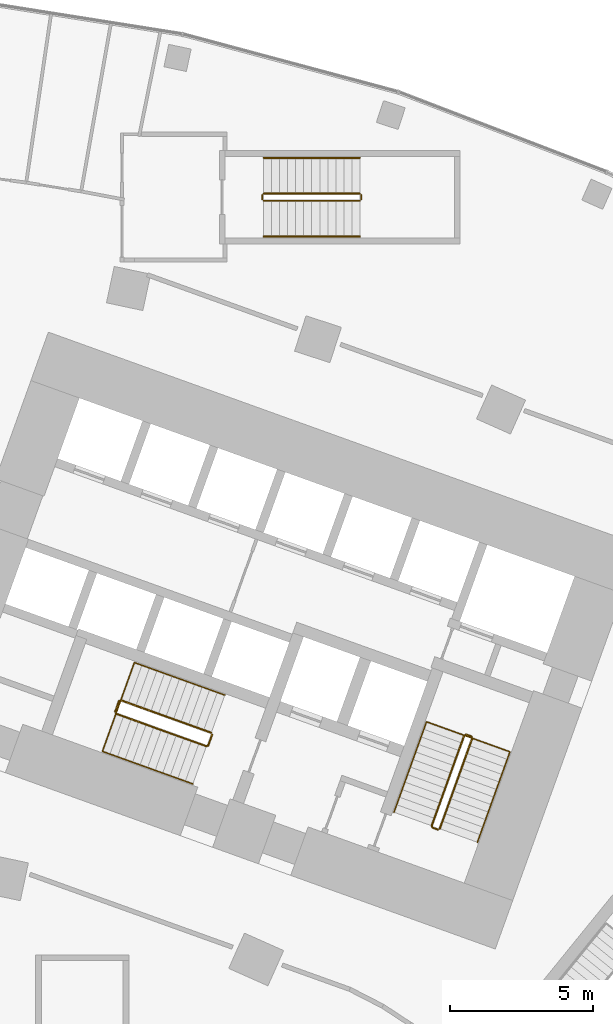
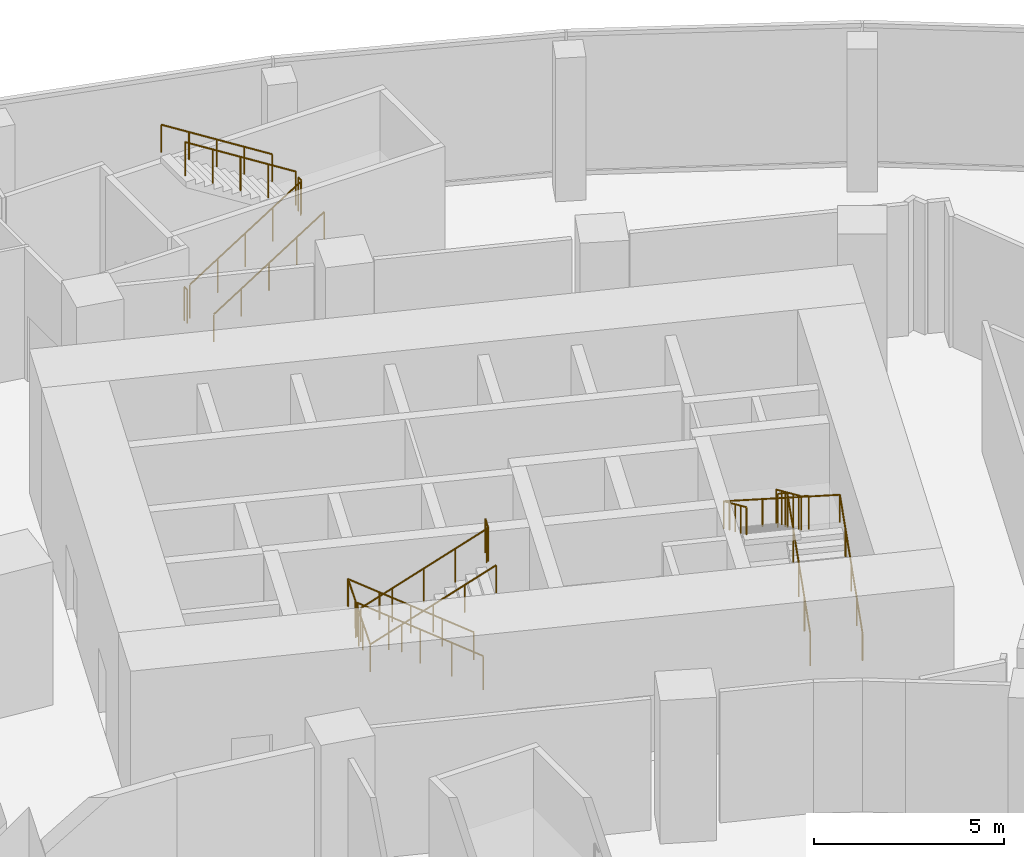
# One storey, part 38 of 39: 12 railings.
"""IFC4 building model written with IfcOpenShell, lengths in metres."""

from ifc_helpers import new_model, si_unit, direction, frame, origin, origin_2d, place, context, subcontext, project, spatial, circle, extrude, material, type_object, element, save


model = new_model("IFC4")

# Units and contexts
model_context = context("Model", 3, precision=1e-05, world=origin(), true_north=direction((0.0, 1.0)))
body_context = subcontext(model_context, "Body", "Model", "MODEL_VIEW")
ifc_project = project(units=[si_unit("LENGTHUNIT", "METRE"), si_unit("AREAUNIT", "SQUARE_METRE"), si_unit("VOLUMEUNIT", "CUBIC_METRE"), si_unit("PLANEANGLEUNIT", "RADIAN"), si_unit("MASSUNIT", "GRAM", prefix="KILO")], contexts=[model_context])

# Site, building, storey
site_placement = place(None, origin())
site = spatial("IfcSite", under=ifc_project, at=site_placement, CompositionType="ELEMENT")
building_placement = place(site_placement, origin())
building = spatial("IfcBuilding", under=site, at=building_placement, Name="Stone Belt Terrace Tower", CompositionType="ELEMENT")
storey_placement = place(building_placement, frame((0.0, 0.0, 20.800048828125)))
storey = spatial("IfcBuildingStorey", under=building, at=storey_placement, Name="L04", CompositionType="ELEMENT", Elevation=20.800048828125)

# Railings
ifc_material_1 = material(Name="Steel balustrade", Category="steel")
railing_type_1 = type_object("IfcRailingType", Name="Podium stair guard", PredefinedType="GUARDRAIL", material=ifc_material_1)
railing_1_placement = place(storey_placement, frame((18.340087890625, 67.125, 0.1767578125)))
element("IfcRailing", 1, at=railing_1_placement, inside=storey, type_object=railing_type_1, Name="L04 PS8 stair guard 1", PredefinedType="GUARDRAIL", context=body_context, shape_type="SweptSolid", body=[
    extrude(circle(Radius=0.02392578125, at=origin_2d()), frame((0.0, 0.0, 1.076171875), z_axis=(0.845344368971, 0.0, 0.534221768416), x_axis=(0.0, 1.0, 0.0)), (0.0, 0.0, 1.0), 3.974609375),
    extrude(circle(Radius=0.02099609375, at=origin_2d()), origin(), (0.0, 0.0, 1.0), 1.052001953125),
    extrude(circle(Radius=0.02099609375, at=origin_2d()), frame((0.83984375, 0.0, 0.53076171875)), (0.0, 0.0, 1.0), 1.052001953125),
    extrude(circle(Radius=0.02099609375, at=origin_2d()), frame((1.679931640625, 0.0, 1.0615234375)), (0.0, 0.0, 1.0), 1.052001953125),
    extrude(circle(Radius=0.02099609375, at=origin_2d()), frame((2.52001953125, 0.0, 1.592529296875)), (0.0, 0.0, 1.0), 1.052001953125),
    extrude(circle(Radius=0.02099609375, at=origin_2d()), frame((3.35986328125, 0.0, 2.123291015625)), (0.0, 0.0, 1.0), 1.052001953125),
])
railing_2_placement = place(storey_placement, frame((21.75, 67.175048828125, 2.300048828125)))
element("IfcRailing", 2, at=railing_2_placement, inside=storey, type_object=railing_type_1, Name="L04 PS8 stair guard 2", PredefinedType="GUARDRAIL", context=body_context, shape_type="SweptSolid", body=[
    extrude(circle(Radius=0.02392578125, at=origin_2d()), frame((0.0, 0.0, 1.076171875), z_axis=(0.0, 1.0, 0.0), x_axis=(-1.0, 0.0, 0.0)), (0.0, 0.0, 1.0), 0.14990234375),
    extrude(circle(Radius=0.02099609375, at=origin_2d()), origin(), (0.0, 0.0, 1.0), 1.052001953125),
    extrude(circle(Radius=0.02099609375, at=origin_2d()), frame((0.0, 0.14990234375, 0.0)), (0.0, 0.0, 1.0), 1.052001953125),
])
railing_3_placement = place(storey_placement, frame((21.699951171875, 67.375, 2.476806640625)))
element("IfcRailing", 3, at=railing_3_placement, inside=storey, type_object=railing_type_1, Name="L04 PS8 stair guard 3", PredefinedType="GUARDRAIL", context=body_context, shape_type="SweptSolid", body=[
    extrude(circle(Radius=0.02392578125, at=origin_2d()), frame((0.0, 0.0, 1.076171875), z_axis=(-0.845372108799, 0.0, 0.534177870812), x_axis=(0.0, -1.0, 0.0)), (0.0, 0.0, 1.0), 3.974365234375),
    extrude(circle(Radius=0.02099609375, at=origin_2d()), origin(), (0.0, 0.0, 1.0), 1.052001953125),
    extrude(circle(Radius=0.02099609375, at=origin_2d()), frame((-0.83984375, 0.0, 0.53076171875)), (0.0, 0.0, 1.0), 1.052001953125),
    extrude(circle(Radius=0.02099609375, at=origin_2d()), frame((-1.679931640625, 0.0, 1.0615234375)), (0.0, 0.0, 1.0), 1.052001953125),
    extrude(circle(Radius=0.02099609375, at=origin_2d()), frame((-2.52001953125, 0.0, 1.59228515625)), (0.0, 0.0, 1.0), 1.052001953125),
    extrude(circle(Radius=0.02099609375, at=origin_2d()), frame((-3.35986328125, 0.0, 2.123046875)), (0.0, 0.0, 1.0), 1.052001953125),
])
railing_4_placement = place(storey_placement, frame((18.2900390625, 67.175048828125, 0.0)))
element("IfcRailing", 4, at=railing_4_placement, inside=storey, type_object=railing_type_1, Name="L04 PS8 stair guard 4", PredefinedType="GUARDRAIL", context=body_context, shape_type="SweptSolid", body=[
    extrude(circle(Radius=0.02392578125, at=origin_2d()), frame((0.0, 0.0, 1.076171875), z_axis=(0.0, 1.0, 0.0), x_axis=(-1.0, 0.0, 0.0)), (0.0, 0.0, 1.0), 0.14990234375),
    extrude(circle(Radius=0.02099609375, at=origin_2d()), origin(), (0.0, 0.0, 1.0), 1.052001953125),
    extrude(circle(Radius=0.02099609375, at=origin_2d()), frame((0.0, 0.14990234375, 0.0)), (0.0, 0.0, 1.0), 1.052001953125),
])
ifc_material_2 = material(Name="Stainless steel handrail", Category="steel")
railing_type_2 = type_object("IfcRailingType", Name="Podium stair handrail", PredefinedType="HANDRAIL", material=ifc_material_2)
railing_5_placement = place(storey_placement, frame((18.340087890625, 65.875, 0.1767578125)))
element("IfcRailing", 5, at=railing_5_placement, inside=storey, type_object=railing_type_2, Name="L04 PS8 stair handrail 1", PredefinedType="HANDRAIL", context=body_context, shape_type="SweptSolid", body=[
    extrude(circle(Radius=0.02392578125, at=origin_2d()), frame((0.0, 0.0, 0.8759765625), z_axis=(0.845344368971, 0.0, 0.534221768416), x_axis=(0.0, 1.0, 0.0)), (0.0, 0.0, 1.0), 3.974609375),
    extrude(circle(Radius=0.02099609375, at=origin_2d()), origin(), (0.0, 0.0, 1.0), 0.851806640625),
    extrude(circle(Radius=0.02099609375, at=origin_2d()), frame((0.83984375, 0.0, 0.53076171875)), (0.0, 0.0, 1.0), 0.851806640625),
    extrude(circle(Radius=0.02099609375, at=origin_2d()), frame((1.679931640625, 0.0, 1.0615234375)), (0.0, 0.0, 1.0), 0.851806640625),
    extrude(circle(Radius=0.02099609375, at=origin_2d()), frame((2.52001953125, 0.0, 1.592529296875)), (0.0, 0.0, 1.0), 0.851806640625),
    extrude(circle(Radius=0.02099609375, at=origin_2d()), frame((3.35986328125, 0.0, 2.123291015625)), (0.0, 0.0, 1.0), 0.851806640625),
])
railing_6_placement = place(storey_placement, frame((21.699951171875, 68.625, 2.476806640625)))
element("IfcRailing", 6, at=railing_6_placement, inside=storey, type_object=railing_type_2, Name="L04 PS8 stair handrail 2", PredefinedType="HANDRAIL", context=body_context, shape_type="SweptSolid", body=[
    extrude(circle(Radius=0.02392578125, at=origin_2d()), frame((0.0, 0.0, 0.8759765625), z_axis=(-0.845372108799, 0.0, 0.534177870812), x_axis=(0.0, -1.0, 0.0)), (0.0, 0.0, 1.0), 3.974365234375),
    extrude(circle(Radius=0.02099609375, at=origin_2d()), origin(), (0.0, 0.0, 1.0), 0.851806640625),
    extrude(circle(Radius=0.02099609375, at=origin_2d()), frame((-0.83984375, 0.0, 0.53076171875)), (0.0, 0.0, 1.0), 0.851806640625),
    extrude(circle(Radius=0.02099609375, at=origin_2d()), frame((-1.679931640625, 0.0, 1.0615234375)), (0.0, 0.0, 1.0), 0.851806640625),
    extrude(circle(Radius=0.02099609375, at=origin_2d()), frame((-2.52001953125, 0.0, 1.59228515625)), (0.0, 0.0, 1.0), 0.851806640625),
    extrude(circle(Radius=0.02099609375, at=origin_2d()), frame((-3.35986328125, 0.0, 2.123046875)), (0.0, 0.0, 1.0), 0.851806640625),
])
ifc_material_3 = material(Name="Structural steel C345", Category="steel")
railing_type_3 = type_object("IfcRailingType", Name="Stair guard 1100", PredefinedType="GUARDRAIL", material=ifc_material_3)
railing_7_placement = place(storey_placement, frame((24.494140625, 45.174560546875, 0.1767578125)))
element("IfcRailing", 7, at=railing_7_placement, inside=storey, type_object=railing_type_3, Name="L04 ST1B stair guard 1", PredefinedType="GUARDRAIL", context=body_context, shape_type="SweptSolid", body=[
    extrude(circle(Radius=0.02392578125, at=origin_2d()), frame((0.0, 0.0, 1.076171875), z_axis=(0.286301708457, 0.795391723409, 0.53421282095), x_axis=(-0.940902231577, 0.338678299589, 0.0)), (0.0, 0.0, 1.0), 3.974609375),
    extrude(circle(Radius=0.02392578125, at=origin_2d()), frame((1.137939453125, 3.161376953125, 3.19921875), z_axis=(-0.427789722475, 0.903878284585, 0.0), x_axis=(-0.903878284585, -0.427789722475, 0.0)), (0.0, 0.0, 1.0), 0.07080078125),
    extrude(circle(Radius=0.02392578125, at=origin_2d()), frame((1.107666015625, 3.225341796875, 3.19921875), z_axis=(-0.940575576748, 0.339584429008, 0.0), x_axis=(-0.339584429008, -0.940575576748, 0.0)), (0.0, 0.0, 1.0), 0.199951171875),
    extrude(circle(Radius=0.02099609375, at=origin_2d()), origin(), (0.0, 0.0, 1.0), 1.052001953125),
    extrude(circle(Radius=0.02099609375, at=origin_2d()), frame((0.284423828125, 0.790283203125, 0.53076171875)), (0.0, 0.0, 1.0), 1.052001953125),
    extrude(circle(Radius=0.02099609375, at=origin_2d()), frame((0.56884765625, 1.58056640625, 1.0615234375)), (0.0, 0.0, 1.0), 1.052001953125),
    extrude(circle(Radius=0.02099609375, at=origin_2d()), frame((0.853515625, 2.37109375, 1.592529296875)), (0.0, 0.0, 1.0), 1.052001953125),
    extrude(circle(Radius=0.02099609375, at=origin_2d()), frame((1.137939453125, 3.161376953125, 2.123291015625)), (0.0, 0.0, 1.0), 1.052001953125),
    extrude(circle(Radius=0.02099609375, at=origin_2d()), frame((1.107666015625, 3.225341796875, 2.123291015625)), (0.0, 0.0, 1.0), 1.052001953125),
    extrude(circle(Radius=0.02099609375, at=origin_2d()), frame((0.919677734375, 3.293212890625, 2.123291015625)), (0.0, 0.0, 1.0), 1.052001953125),
])
railing_8_placement = place(storey_placement, frame((25.349853515625, 48.4375, 2.476806640625)))
element("IfcRailing", 8, at=railing_8_placement, inside=storey, type_object=railing_type_3, Name="L04 ST1B stair guard 2", PredefinedType="GUARDRAIL", context=body_context, shape_type="SweptSolid", body=[
    extrude(circle(Radius=0.02392578125, at=origin_2d()), frame((0.0, 0.0, 1.076171875), z_axis=(-0.286311103083, -0.795417823175, 0.534168923494), x_axis=(0.940902231577, -0.338678299589, 0.0)), (0.0, 0.0, 1.0), 3.974365234375),
    extrude(circle(Radius=0.02392578125, at=origin_2d()), frame((-1.137939453125, -3.161376953125, 3.19921875), z_axis=(0.427789722475, -0.903878284585, 0.0), x_axis=(0.903878284585, 0.427789722475, 0.0)), (0.0, 0.0, 1.0), 0.07080078125),
    extrude(circle(Radius=0.02392578125, at=origin_2d()), frame((-1.107666015625, -3.225341796875, 3.19921875), z_axis=(0.940575576748, -0.339584429008, 0.0), x_axis=(0.339584429008, 0.940575576748, 0.0)), (0.0, 0.0, 1.0), 0.199951171875),
    extrude(circle(Radius=0.02099609375, at=origin_2d()), origin(), (0.0, 0.0, 1.0), 1.052001953125),
    extrude(circle(Radius=0.02099609375, at=origin_2d()), frame((-0.284423828125, -0.790283203125, 0.53076171875)), (0.0, 0.0, 1.0), 1.052001953125),
    extrude(circle(Radius=0.02099609375, at=origin_2d()), frame((-0.56884765625, -1.58056640625, 1.0615234375)), (0.0, 0.0, 1.0), 1.052001953125),
    extrude(circle(Radius=0.02099609375, at=origin_2d()), frame((-0.853515625, -2.37109375, 1.59228515625)), (0.0, 0.0, 1.0), 1.052001953125),
    extrude(circle(Radius=0.02099609375, at=origin_2d()), frame((-1.137939453125, -3.161376953125, 2.123046875)), (0.0, 0.0, 1.0), 1.052001953125),
    extrude(circle(Radius=0.02099609375, at=origin_2d()), frame((-1.107666015625, -3.225341796875, 2.123046875)), (0.0, 0.0, 1.0), 1.052001953125),
    extrude(circle(Radius=0.02099609375, at=origin_2d()), frame((-0.919677734375, -3.293212890625, 2.123046875)), (0.0, 0.0, 1.0), 1.052001953125),
])
railing_9_placement = place(storey_placement, frame((16.507568359375, 48.527099609375, 0.1767578125)))
element("IfcRailing", 9, at=railing_9_placement, inside=storey, type_object=railing_type_3, Name="L04 ST2B stair guard 1", PredefinedType="GUARDRAIL", context=body_context, shape_type="SweptSolid", body=[
    extrude(circle(Radius=0.02392578125, at=origin_2d()), frame((0.0, 0.0, 1.076171875), z_axis=(-0.795405710091, 0.286245316937, 0.534222214894), x_axis=(-0.338613969627, -0.9409253847, 0.0)), (0.0, 0.0, 1.0), 3.974609375),
    extrude(circle(Radius=0.02392578125, at=origin_2d()), frame((-3.161376953125, 1.1376953125, 3.19921875), z_axis=(-0.905209821074, -0.424964916, 0.0), x_axis=(0.424964916, -0.905209821074, 0.0)), (0.0, 0.0, 1.0), 0.070556640625),
    extrude(circle(Radius=0.02392578125, at=origin_2d()), frame((-3.225341796875, 1.107666015625, 3.19921875), z_axis=(-0.338654645739, -0.940910745459, 0.0), x_axis=(0.940910745459, -0.338654645739, 0.0)), (0.0, 0.0, 1.0), 0.400146484375),
    extrude(circle(Radius=0.02099609375, at=origin_2d()), origin(), (0.0, 0.0, 1.0), 1.052001953125),
    extrude(circle(Radius=0.02099609375, at=origin_2d()), frame((-0.790283203125, 0.284423828125, 0.53076171875)), (0.0, 0.0, 1.0), 1.052001953125),
    extrude(circle(Radius=0.02099609375, at=origin_2d()), frame((-1.58056640625, 0.56884765625, 1.0615234375)), (0.0, 0.0, 1.0), 1.052001953125),
    extrude(circle(Radius=0.02099609375, at=origin_2d()), frame((-2.37109375, 0.853271484375, 1.592529296875)), (0.0, 0.0, 1.0), 1.052001953125),
    extrude(circle(Radius=0.02099609375, at=origin_2d()), frame((-3.161376953125, 1.1376953125, 2.123291015625)), (0.0, 0.0, 1.0), 1.052001953125),
    extrude(circle(Radius=0.02099609375, at=origin_2d()), frame((-3.225341796875, 1.107666015625, 2.123291015625)), (0.0, 0.0, 1.0), 1.052001953125),
    extrude(circle(Radius=0.02099609375, at=origin_2d()), frame((-3.36083984375, 0.731201171875, 2.123291015625)), (0.0, 0.0, 1.0), 1.052001953125),
])
railing_10_placement = place(storey_placement, frame((13.1767578125, 49.1943359375, 2.476806640625)))
element("IfcRailing", 10, at=railing_10_placement, inside=storey, type_object=railing_type_3, Name="L04 ST2B stair guard 2", PredefinedType="GUARDRAIL", context=body_context, shape_type="SweptSolid", body=[
    extrude(circle(Radius=0.02392578125, at=origin_2d()), frame((0.0, 0.0, 1.076171875), z_axis=(0.79545437138, -0.286240723601, 0.53415221726), x_axis=(0.338590819614, 0.940933715451, 0.0)), (0.0, 0.0, 1.0), 3.974609375),
    extrude(circle(Radius=0.02392578125, at=origin_2d()), frame((3.16162109375, -1.1376953125, 3.19921875), z_axis=(0.905209821074, 0.424964916, 0.0), x_axis=(-0.424964916, 0.905209821074, 0.0)), (0.0, 0.0, 1.0), 0.070556640625),
    extrude(circle(Radius=0.02392578125, at=origin_2d()), frame((3.2255859375, -1.107666015625, 3.19921875), z_axis=(0.338654645739, 0.940910745459, 0.0), x_axis=(-0.940910745459, 0.338654645739, 0.0)), (0.0, 0.0, 1.0), 0.400146484375),
    extrude(circle(Radius=0.02099609375, at=origin_2d()), origin(), (0.0, 0.0, 1.0), 1.052001953125),
    extrude(circle(Radius=0.02099609375, at=origin_2d()), frame((0.79052734375, -0.284423828125, 0.53076171875)), (0.0, 0.0, 1.0), 1.052001953125),
    extrude(circle(Radius=0.02099609375, at=origin_2d()), frame((1.580810546875, -0.56884765625, 1.0615234375)), (0.0, 0.0, 1.0), 1.052001953125),
    extrude(circle(Radius=0.02099609375, at=origin_2d()), frame((2.37109375, -0.853271484375, 1.59228515625)), (0.0, 0.0, 1.0), 1.052001953125),
    extrude(circle(Radius=0.02099609375, at=origin_2d()), frame((3.16162109375, -1.1376953125, 2.123046875)), (0.0, 0.0, 1.0), 1.052001953125),
    extrude(circle(Radius=0.02099609375, at=origin_2d()), frame((3.2255859375, -1.107666015625, 2.123046875)), (0.0, 0.0, 1.0), 1.052001953125),
    extrude(circle(Radius=0.02099609375, at=origin_2d()), frame((3.361083984375, -0.731201171875, 2.123046875)), (0.0, 0.0, 1.0), 1.052001953125),
])
railing_type_4 = type_object("IfcRailingType", Name="Stair handrail 900", PredefinedType="HANDRAIL", material=ifc_material_3)
railing_11_placement = place(storey_placement, frame((25.8115234375, 44.700439453125, 0.1767578125)))
element("IfcRailing", 11, at=railing_11_placement, inside=storey, type_object=railing_type_4, Name="L04 ST1B stair handrail 1", PredefinedType="HANDRAIL", context=body_context, shape_type="SweptSolid", body=[
    extrude(circle(Radius=0.02392578125, at=origin_2d()), frame((0.0, 0.0, 0.8759765625), z_axis=(0.286245316937, 0.795405710091, 0.534222214894), x_axis=(-0.9409253847, 0.338613969627, 0.0)), (0.0, 0.0, 1.0), 3.974609375),
    extrude(circle(Radius=0.02392578125, at=origin_2d()), frame((1.1376953125, 3.161376953125, 2.9990234375), z_axis=(-0.939384633507, 0.338106129077, 0.056927636617), x_axis=(-0.338655323994, -0.940910501339, 0.0)), (0.0, 0.0, 1.0), 3.10498046875),
    extrude(circle(Radius=0.02392578125, at=origin_2d()), frame((-1.779052734375, 4.211181640625, 3.17578125), z_axis=(-0.286254710043, -0.795431811234, 0.534178317283), x_axis=(0.9409253847, -0.338613969627, 0.0)), (0.0, 0.0, 1.0), 3.974365234375),
    extrude(circle(Radius=0.02099609375, at=origin_2d()), origin(), (0.0, 0.0, 1.0), 0.851806640625),
    extrude(circle(Radius=0.02099609375, at=origin_2d()), frame((0.284423828125, 0.790283203125, 0.53076171875)), (0.0, 0.0, 1.0), 0.851806640625),
    extrude(circle(Radius=0.02099609375, at=origin_2d()), frame((0.56884765625, 1.58056640625, 1.0615234375)), (0.0, 0.0, 1.0), 0.851806640625),
    extrude(circle(Radius=0.02099609375, at=origin_2d()), frame((0.853271484375, 2.37109375, 1.592529296875)), (0.0, 0.0, 1.0), 0.851806640625),
    extrude(circle(Radius=0.02099609375, at=origin_2d()), frame((1.1376953125, 3.161376953125, 2.123291015625)), (0.0, 0.0, 1.0), 0.851806640625),
    extrude(circle(Radius=0.02099609375, at=origin_2d()), frame((0.16552734375, 3.51123046875, 2.18212890625)), (0.0, 0.0, 1.0), 0.851806640625),
    extrude(circle(Radius=0.02099609375, at=origin_2d()), frame((-0.806884765625, 3.861328125, 2.2412109375)), (0.0, 0.0, 1.0), 0.851806640625),
    extrude(circle(Radius=0.02099609375, at=origin_2d()), frame((-1.779052734375, 4.211181640625, 2.300048828125)), (0.0, 0.0, 1.0), 0.851806640625),
    extrude(circle(Radius=0.02099609375, at=origin_2d()), frame((-2.0634765625, 3.4208984375, 2.830810546875)), (0.0, 0.0, 1.0), 0.851806640625),
    extrude(circle(Radius=0.02099609375, at=origin_2d()), frame((-2.347900390625, 2.63037109375, 3.361572265625)), (0.0, 0.0, 1.0), 0.851806640625),
    extrude(circle(Radius=0.02099609375, at=origin_2d()), frame((-2.63232421875, 1.840087890625, 3.892333984375)), (0.0, 0.0, 1.0), 0.851806640625),
    extrude(circle(Radius=0.02099609375, at=origin_2d()), frame((-2.916748046875, 1.0498046875, 4.423095703125)), (0.0, 0.0, 1.0), 0.851806640625),
])
railing_12_placement = place(storey_placement, frame((16.981689453125, 49.84423828125, 0.1767578125)))
element("IfcRailing", 12, at=railing_12_placement, inside=storey, type_object=railing_type_4, Name="L04 ST2B stair handrail 1", PredefinedType="HANDRAIL", context=body_context, shape_type="SweptSolid", body=[
    extrude(circle(Radius=0.02392578125, at=origin_2d()), frame((0.0, 0.0, 0.8759765625), z_axis=(-0.795391723409, 0.286301708457, 0.53421282095), x_axis=(-0.338678299589, -0.940902231577, 0.0)), (0.0, 0.0, 1.0), 3.974609375),
    extrude(circle(Radius=0.02392578125, at=origin_2d()), frame((-3.161376953125, 1.137939453125, 2.9990234375), z_axis=(-0.338114333932, -0.93958405359, 0.053483674408), x_axis=(0.940930785231, -0.338598962497, 0.0)), (0.0, 0.0, 1.0), 3.304931640625),
    extrude(circle(Radius=0.02392578125, at=origin_2d()), frame((-4.27880859375, -1.96728515625, 3.17578125), z_axis=(0.795431811234, -0.286254710043, 0.534178317283), x_axis=(0.338613969627, 0.9409253847, 0.0)), (0.0, 0.0, 1.0), 3.974365234375),
    extrude(circle(Radius=0.02099609375, at=origin_2d()), origin(), (0.0, 0.0, 1.0), 0.851806640625),
    extrude(circle(Radius=0.02099609375, at=origin_2d()), frame((-0.790283203125, 0.284423828125, 0.53076171875)), (0.0, 0.0, 1.0), 0.851806640625),
    extrude(circle(Radius=0.02099609375, at=origin_2d()), frame((-1.58056640625, 0.56884765625, 1.0615234375)), (0.0, 0.0, 1.0), 0.851806640625),
    extrude(circle(Radius=0.02099609375, at=origin_2d()), frame((-2.37109375, 0.853515625, 1.592529296875)), (0.0, 0.0, 1.0), 0.851806640625),
    extrude(circle(Radius=0.02099609375, at=origin_2d()), frame((-3.161376953125, 1.137939453125, 2.123291015625)), (0.0, 0.0, 1.0), 0.851806640625),
    extrude(circle(Radius=0.02099609375, at=origin_2d()), frame((-3.533935546875, 0.102783203125, 2.18212890625)), (0.0, 0.0, 1.0), 0.851806640625),
    extrude(circle(Radius=0.02099609375, at=origin_2d()), frame((-3.90625, -0.93212890625, 2.2412109375)), (0.0, 0.0, 1.0), 0.851806640625),
    extrude(circle(Radius=0.02099609375, at=origin_2d()), frame((-4.27880859375, -1.96728515625, 2.300048828125)), (0.0, 0.0, 1.0), 0.851806640625),
    extrude(circle(Radius=0.02099609375, at=origin_2d()), frame((-3.488525390625, -2.251708984375, 2.830810546875)), (0.0, 0.0, 1.0), 0.851806640625),
    extrude(circle(Radius=0.02099609375, at=origin_2d()), frame((-2.6982421875, -2.5361328125, 3.361572265625)), (0.0, 0.0, 1.0), 0.851806640625),
    extrude(circle(Radius=0.02099609375, at=origin_2d()), frame((-1.90771484375, -2.820556640625, 3.892333984375)), (0.0, 0.0, 1.0), 0.851806640625),
    extrude(circle(Radius=0.02099609375, at=origin_2d()), frame((-1.117431640625, -3.10498046875, 4.423095703125)), (0.0, 0.0, 1.0), 0.851806640625),
])

save(model, "model.ifc")
